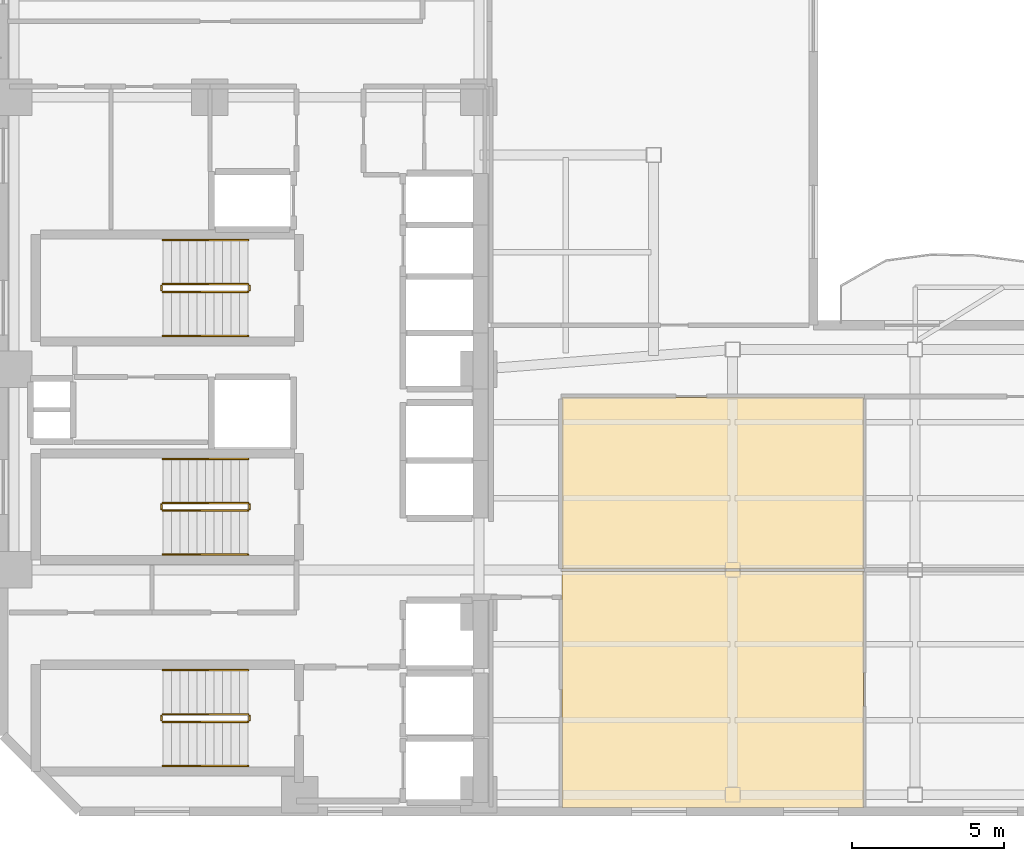
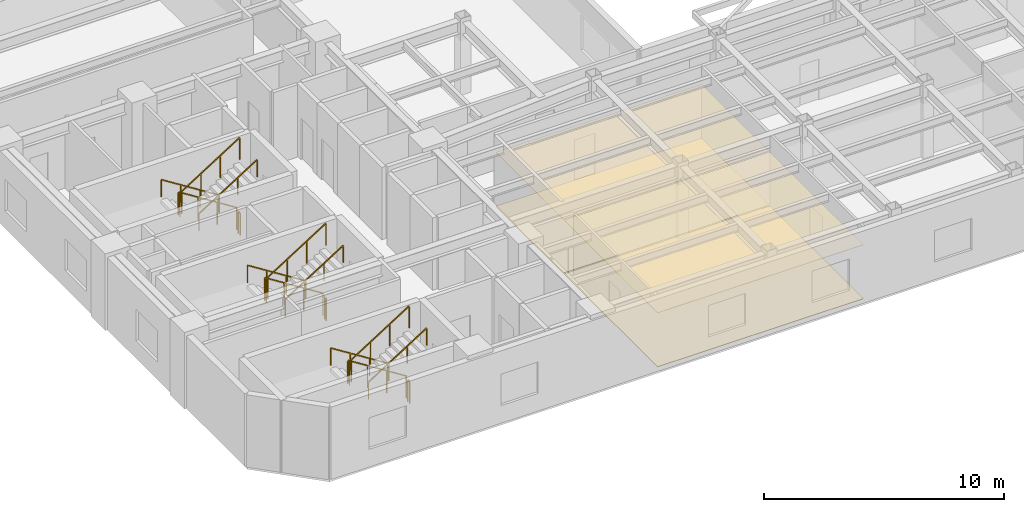
# One storey, part 7 of 9: 18 railings, 4 coverings.
"""IFC4 building model written with IfcOpenShell, lengths in metres."""

from ifc_helpers import new_model, si_unit, direction, frame, origin, origin_2d, place, context, subcontext, project, spatial, polyline, rectangle, outline, extrude, material, layer, layer_set, type_object, element, save


model = new_model("IFC4")

# Units and contexts
model_context = context("Model", 3, precision=1e-05, world=origin(), true_north=direction((0.0, 1.0)))
body_context = subcontext(model_context, "Body", "Model", "MODEL_VIEW")
ifc_project = project(units=[si_unit("LENGTHUNIT", "METRE"), si_unit("AREAUNIT", "SQUARE_METRE"), si_unit("VOLUMEUNIT", "CUBIC_METRE"), si_unit("PLANEANGLEUNIT", "RADIAN"), si_unit("MASSUNIT", "GRAM", prefix="KILO")], contexts=[model_context])

# Site, building, storey
site_placement = place(None, origin())
site = spatial("IfcSite", under=ifc_project, at=site_placement, CompositionType="ELEMENT")
building_placement = place(site_placement, origin())
building = spatial("IfcBuilding", under=site, at=building_placement, Name="Mawjaban Terraces University", CompositionType="ELEMENT")
storey_placement = place(building_placement, frame((0.0, 0.0, 111.199951171875)))
storey = spatial("IfcBuildingStorey", under=building, at=storey_placement, Name="L26", CompositionType="ELEMENT", Elevation=111.199951171875)

# Coverings
ifc_material_1 = material(Name="Acoustic mineral fibre ceiling tile", Category="masonry")
ifc_layer_1 = layer(ifc_material_1, 0.02001953125)
ifc_layer_set_1 = layer_set([ifc_layer_1], Name="Acoustic mineral fibre ceiling tile")
covering_type_1 = type_object("IfcCoveringType", Name="AcousticMineralCeiling_20", PredefinedType="CEILING", material=ifc_layer_set_1)
covering_1_placement = place(storey_placement, frame((0.0, 0.0, 2.75)))
element("IfcCovering", 1, at=covering_1_placement, inside=storey, type_object=covering_type_1, Name="L26 Seminar Room 2 Acoustic Ceiling", PredefinedType="CEILING", context=body_context, shape_type="SweptSolid", body=[
    extrude(outline(polyline([(40.3798828125, 0.114990234375), (50.302001953125, 0.114990234375), (50.302001953125, 7.919921875), (40.3798828125, 7.919921875), (40.3798828125, 0.114990234375)])), origin(), (0.0, 0.0, 1.0), 0.02001953125),
])
covering_2_placement = place(storey_placement, frame((0.0, 0.0, 2.75)))
element("IfcCovering", 2, at=covering_2_placement, inside=storey, type_object=covering_type_1, Name="L26 Classroom 3 Acoustic Ceiling", PredefinedType="CEILING", context=body_context, shape_type="SweptSolid", body=[
    extrude(outline(polyline([(50.302001953125, 7.97998046875), (50.302001953125, 13.6201171875), (40.3798828125, 13.6201171875), (40.3798828125, 7.97998046875), (50.302001953125, 7.97998046875)])), origin(), (0.0, 0.0, 1.0), 0.02001953125),
])

# Railings
ifc_material_2 = material(Name="Brushed stainless steel 316", Category="steel")
railing_type_1 = type_object("IfcRailingType", Name="StairWallHandrail_900", PredefinedType="HANDRAIL", material=ifc_material_2)
railing_1_placement = place(storey_placement, frame((30.050048828125, 4.64990234375, 0.17724609375)))
element("IfcRailing", 3, at=railing_1_placement, inside=storey, type_object=railing_type_1, Name="L26 ST-1 stair handrail 1", PredefinedType="HANDRAIL", context=body_context, shape_type="SweptSolid", body=[
    extrude(rectangle(XDim=0.048095703125, YDim=0.048095703125, at=origin_2d()), frame((0.0, 0.0, 0.8759765625), z_axis=(-0.844908973607, 0.0, 0.534910110503), x_axis=(0.0, -1.0, 0.0)), (0.0, 0.0, 1.0), 3.31396484375),
    extrude(rectangle(XDim=0.0419921875, YDim=0.0419921875, at=origin_2d()), origin(), (0.0, 0.0, 1.0), 0.851806640625),
    extrude(rectangle(XDim=0.0419921875, YDim=0.0419921875, at=origin_2d()), frame((-0.933349609375, 0.0, 0.5908203125)), (0.0, 0.0, 1.0), 0.851806640625),
    extrude(rectangle(XDim=0.0419921875, YDim=0.0419921875, at=origin_2d()), frame((-1.86669921875, 0.0, 1.181884765625)), (0.0, 0.0, 1.0), 0.851806640625),
    extrude(rectangle(XDim=0.0419921875, YDim=0.0419921875, at=origin_2d()), frame((-2.800048828125, 0.0, 1.772705078125)), (0.0, 0.0, 1.0), 0.851806640625),
])
railing_2_placement = place(storey_placement, frame((27.25, 1.5, 2.12744140625)))
element("IfcRailing", 4, at=railing_2_placement, inside=storey, type_object=railing_type_1, Name="L26 ST-1 stair handrail 2", PredefinedType="HANDRAIL", context=body_context, shape_type="SweptSolid", body=[
    extrude(rectangle(XDim=0.048095703125, YDim=0.048095703125, at=origin_2d()), frame((0.0, 0.0, 0.8759765625), z_axis=(0.844908973607, 0.0, 0.534910110503), x_axis=(0.0, 1.0, 0.0)), (0.0, 0.0, 1.0), 3.31396484375),
    extrude(rectangle(XDim=0.0419921875, YDim=0.0419921875, at=origin_2d()), origin(), (0.0, 0.0, 1.0), 0.851806640625),
    extrude(rectangle(XDim=0.0419921875, YDim=0.0419921875, at=origin_2d()), frame((0.933349609375, 0.0, 0.5908203125)), (0.0, 0.0, 1.0), 0.851806640625),
    extrude(rectangle(XDim=0.0419921875, YDim=0.0419921875, at=origin_2d()), frame((1.86669921875, 0.0, 1.181884765625)), (0.0, 0.0, 1.0), 0.851806640625),
    extrude(rectangle(XDim=0.0419921875, YDim=0.0419921875, at=origin_2d()), frame((2.800048828125, 0.0, 1.772705078125)), (0.0, 0.0, 1.0), 0.851806640625),
])
railing_3_placement = place(storey_placement, frame((30.050048828125, 18.800048828125, 0.17724609375)))
element("IfcRailing", 5, at=railing_3_placement, inside=storey, type_object=railing_type_1, Name="L26 ST-2 stair handrail 1", PredefinedType="HANDRAIL", context=body_context, shape_type="SweptSolid", body=[
    extrude(rectangle(XDim=0.048095703125, YDim=0.048095703125, at=origin_2d()), frame((0.0, 0.0, 0.8759765625), z_axis=(-0.844908973607, 0.0, 0.534910110503), x_axis=(0.0, -1.0, 0.0)), (0.0, 0.0, 1.0), 3.31396484375),
    extrude(rectangle(XDim=0.0419921875, YDim=0.0419921875, at=origin_2d()), origin(), (0.0, 0.0, 1.0), 0.851806640625),
    extrude(rectangle(XDim=0.0419921875, YDim=0.0419921875, at=origin_2d()), frame((-0.933349609375, 0.0, 0.5908203125)), (0.0, 0.0, 1.0), 0.851806640625),
    extrude(rectangle(XDim=0.0419921875, YDim=0.0419921875, at=origin_2d()), frame((-1.86669921875, 0.0, 1.181884765625)), (0.0, 0.0, 1.0), 0.851806640625),
    extrude(rectangle(XDim=0.0419921875, YDim=0.0419921875, at=origin_2d()), frame((-2.800048828125, 0.0, 1.772705078125)), (0.0, 0.0, 1.0), 0.851806640625),
])
railing_4_placement = place(storey_placement, frame((27.25, 15.64990234375, 2.12744140625)))
element("IfcRailing", 6, at=railing_4_placement, inside=storey, type_object=railing_type_1, Name="L26 ST-2 stair handrail 2", PredefinedType="HANDRAIL", context=body_context, shape_type="SweptSolid", body=[
    extrude(rectangle(XDim=0.048095703125, YDim=0.048095703125, at=origin_2d()), frame((0.0, 0.0, 0.8759765625), z_axis=(0.844908973607, 0.0, 0.534910110503), x_axis=(0.0, 1.0, 0.0)), (0.0, 0.0, 1.0), 3.31396484375),
    extrude(rectangle(XDim=0.0419921875, YDim=0.0419921875, at=origin_2d()), origin(), (0.0, 0.0, 1.0), 0.851806640625),
    extrude(rectangle(XDim=0.0419921875, YDim=0.0419921875, at=origin_2d()), frame((0.933349609375, 0.0, 0.5908203125)), (0.0, 0.0, 1.0), 0.851806640625),
    extrude(rectangle(XDim=0.0419921875, YDim=0.0419921875, at=origin_2d()), frame((1.86669921875, 0.0, 1.181884765625)), (0.0, 0.0, 1.0), 0.851806640625),
    extrude(rectangle(XDim=0.0419921875, YDim=0.0419921875, at=origin_2d()), frame((2.800048828125, 0.0, 1.772705078125)), (0.0, 0.0, 1.0), 0.851806640625),
])
railing_5_placement = place(storey_placement, frame((30.050048828125, 11.60009765625, 0.17724609375)))
element("IfcRailing", 7, at=railing_5_placement, inside=storey, type_object=railing_type_1, Name="L26 ST-3 stair handrail 1", PredefinedType="HANDRAIL", context=body_context, shape_type="SweptSolid", body=[
    extrude(rectangle(XDim=0.048095703125, YDim=0.048095703125, at=origin_2d()), frame((0.0, 0.0, 0.8759765625), z_axis=(-0.844908973607, 0.0, 0.534910110503), x_axis=(0.0, -1.0, 0.0)), (0.0, 0.0, 1.0), 3.31396484375),
    extrude(rectangle(XDim=0.0419921875, YDim=0.0419921875, at=origin_2d()), origin(), (0.0, 0.0, 1.0), 0.851806640625),
    extrude(rectangle(XDim=0.0419921875, YDim=0.0419921875, at=origin_2d()), frame((-0.933349609375, 0.0, 0.5908203125)), (0.0, 0.0, 1.0), 0.851806640625),
    extrude(rectangle(XDim=0.0419921875, YDim=0.0419921875, at=origin_2d()), frame((-1.86669921875, 0.0, 1.181884765625)), (0.0, 0.0, 1.0), 0.851806640625),
    extrude(rectangle(XDim=0.0419921875, YDim=0.0419921875, at=origin_2d()), frame((-2.800048828125, 0.0, 1.772705078125)), (0.0, 0.0, 1.0), 0.851806640625),
])
railing_6_placement = place(storey_placement, frame((27.25, 8.449951171875, 2.12744140625)))
element("IfcRailing", 8, at=railing_6_placement, inside=storey, type_object=railing_type_1, Name="L26 ST-3 stair handrail 2", PredefinedType="HANDRAIL", context=body_context, shape_type="SweptSolid", body=[
    extrude(rectangle(XDim=0.048095703125, YDim=0.048095703125, at=origin_2d()), frame((0.0, 0.0, 0.8759765625), z_axis=(0.844908973607, 0.0, 0.534910110503), x_axis=(0.0, 1.0, 0.0)), (0.0, 0.0, 1.0), 3.31396484375),
    extrude(rectangle(XDim=0.0419921875, YDim=0.0419921875, at=origin_2d()), origin(), (0.0, 0.0, 1.0), 0.851806640625),
    extrude(rectangle(XDim=0.0419921875, YDim=0.0419921875, at=origin_2d()), frame((0.933349609375, 0.0, 0.5908203125)), (0.0, 0.0, 1.0), 0.851806640625),
    extrude(rectangle(XDim=0.0419921875, YDim=0.0419921875, at=origin_2d()), frame((1.86669921875, 0.0, 1.181884765625)), (0.0, 0.0, 1.0), 0.851806640625),
    extrude(rectangle(XDim=0.0419921875, YDim=0.0419921875, at=origin_2d()), frame((2.800048828125, 0.0, 1.772705078125)), (0.0, 0.0, 1.0), 0.851806640625),
])
ifc_material_3 = material(Name="Galvanised painted steel S355", Category="steel")
railing_type_2 = type_object("IfcRailingType", Name="StairWellGuard_1150", PredefinedType="BALUSTRADE", material=ifc_material_3)
railing_7_placement = place(storey_placement, frame((30.050048828125, 3.199951171875, 0.17724609375)))
element("IfcRailing", 9, at=railing_7_placement, inside=storey, type_object=railing_type_2, Name="L26 ST-1 stair guard 1", PredefinedType="BALUSTRADE", context=body_context, shape_type="SweptSolid", body=[
    extrude(rectangle(XDim=0.048095703125, YDim=0.048095703125, at=origin_2d()), frame((0.0, 0.0, 1.1259765625), z_axis=(-0.844908973607, 0.0, 0.534910110503), x_axis=(0.0, -1.0, 0.0)), (0.0, 0.0, 1.0), 3.31396484375),
    extrude(rectangle(XDim=0.0419921875, YDim=0.0419921875, at=origin_2d()), origin(), (0.0, 0.0, 1.0), 1.101806640625),
    extrude(rectangle(XDim=0.0419921875, YDim=0.0419921875, at=origin_2d()), frame((-0.933349609375, 0.0, 0.5908203125)), (0.0, 0.0, 1.0), 1.101806640625),
    extrude(rectangle(XDim=0.0419921875, YDim=0.0419921875, at=origin_2d()), frame((-1.86669921875, 0.0, 1.181884765625)), (0.0, 0.0, 1.0), 1.101806640625),
    extrude(rectangle(XDim=0.0419921875, YDim=0.0419921875, at=origin_2d()), frame((-2.800048828125, 0.0, 1.772705078125)), (0.0, 0.0, 1.0), 1.101806640625),
])
railing_8_placement = place(storey_placement, frame((27.199951171875, 3.14990234375, 1.949951171875)))
element("IfcRailing", 10, at=railing_8_placement, inside=storey, type_object=railing_type_2, Name="L26 ST-1 stair guard 2", PredefinedType="BALUSTRADE", context=body_context, shape_type="SweptSolid", body=[
    extrude(rectangle(XDim=0.048095703125, YDim=0.048095703125, at=origin_2d()), frame((0.0, 0.0, 1.1259765625), z_axis=(0.0, -1.0, 0.0), x_axis=(1.0, 0.0, 0.0)), (0.0, 0.0, 1.0), 0.14990234375),
    extrude(rectangle(XDim=0.0419921875, YDim=0.0419921875, at=origin_2d()), origin(), (0.0, 0.0, 1.0), 1.101806640625),
    extrude(rectangle(XDim=0.0419921875, YDim=0.0419921875, at=origin_2d()), frame((0.0, -0.14990234375, 0.0)), (0.0, 0.0, 1.0), 1.101806640625),
])
railing_9_placement = place(storey_placement, frame((27.25, 2.949951171875, 2.12744140625)))
element("IfcRailing", 11, at=railing_9_placement, inside=storey, type_object=railing_type_2, Name="L26 ST-1 stair guard 3", PredefinedType="BALUSTRADE", context=body_context, shape_type="SweptSolid", body=[
    extrude(rectangle(XDim=0.048095703125, YDim=0.048095703125, at=origin_2d()), frame((0.0, 0.0, 1.1259765625), z_axis=(0.844908973607, 0.0, 0.534910110503), x_axis=(0.0, 1.0, 0.0)), (0.0, 0.0, 1.0), 3.31396484375),
    extrude(rectangle(XDim=0.0419921875, YDim=0.0419921875, at=origin_2d()), origin(), (0.0, 0.0, 1.0), 1.101806640625),
    extrude(rectangle(XDim=0.0419921875, YDim=0.0419921875, at=origin_2d()), frame((0.933349609375, 0.0, 0.5908203125)), (0.0, 0.0, 1.0), 1.101806640625),
    extrude(rectangle(XDim=0.0419921875, YDim=0.0419921875, at=origin_2d()), frame((1.86669921875, 0.0, 1.181884765625)), (0.0, 0.0, 1.0), 1.101806640625),
    extrude(rectangle(XDim=0.0419921875, YDim=0.0419921875, at=origin_2d()), frame((2.800048828125, 0.0, 1.772705078125)), (0.0, 0.0, 1.0), 1.101806640625),
])
railing_10_placement = place(storey_placement, frame((30.10009765625, 3.14990234375, 0.0)))
element("IfcRailing", 12, at=railing_10_placement, inside=storey, type_object=railing_type_2, Name="L26 ST-1 stair guard 4", PredefinedType="BALUSTRADE", context=body_context, shape_type="SweptSolid", body=[
    extrude(rectangle(XDim=0.048095703125, YDim=0.048095703125, at=origin_2d()), frame((0.0, 0.0, 1.1259765625), z_axis=(0.0, -1.0, 0.0), x_axis=(1.0, 0.0, 0.0)), (0.0, 0.0, 1.0), 0.14990234375),
    extrude(rectangle(XDim=0.0419921875, YDim=0.0419921875, at=origin_2d()), origin(), (0.0, 0.0, 1.0), 1.101806640625),
    extrude(rectangle(XDim=0.0419921875, YDim=0.0419921875, at=origin_2d()), frame((0.0, -0.14990234375, 0.0)), (0.0, 0.0, 1.0), 1.101806640625),
])
railing_11_placement = place(storey_placement, frame((30.050048828125, 17.35009765625, 0.17724609375)))
element("IfcRailing", 13, at=railing_11_placement, inside=storey, type_object=railing_type_2, Name="L26 ST-2 stair guard 1", PredefinedType="BALUSTRADE", context=body_context, shape_type="SweptSolid", body=[
    extrude(rectangle(XDim=0.048095703125, YDim=0.048095703125, at=origin_2d()), frame((0.0, 0.0, 1.1259765625), z_axis=(-0.844908973607, 0.0, 0.534910110503), x_axis=(0.0, -1.0, 0.0)), (0.0, 0.0, 1.0), 3.31396484375),
    extrude(rectangle(XDim=0.0419921875, YDim=0.0419921875, at=origin_2d()), origin(), (0.0, 0.0, 1.0), 1.101806640625),
    extrude(rectangle(XDim=0.0419921875, YDim=0.0419921875, at=origin_2d()), frame((-0.933349609375, 0.0, 0.5908203125)), (0.0, 0.0, 1.0), 1.101806640625),
    extrude(rectangle(XDim=0.0419921875, YDim=0.0419921875, at=origin_2d()), frame((-1.86669921875, 0.0, 1.181884765625)), (0.0, 0.0, 1.0), 1.101806640625),
    extrude(rectangle(XDim=0.0419921875, YDim=0.0419921875, at=origin_2d()), frame((-2.800048828125, 0.0, 1.772705078125)), (0.0, 0.0, 1.0), 1.101806640625),
])
railing_12_placement = place(storey_placement, frame((27.199951171875, 17.300048828125, 1.949951171875)))
element("IfcRailing", 14, at=railing_12_placement, inside=storey, type_object=railing_type_2, Name="L26 ST-2 stair guard 2", PredefinedType="BALUSTRADE", context=body_context, shape_type="SweptSolid", body=[
    extrude(rectangle(XDim=0.048095703125, YDim=0.048095703125, at=origin_2d()), frame((0.0, 0.0, 1.1259765625), z_axis=(0.0, -1.0, 0.0), x_axis=(1.0, 0.0, 0.0)), (0.0, 0.0, 1.0), 0.150146484375),
    extrude(rectangle(XDim=0.0419921875, YDim=0.0419921875, at=origin_2d()), origin(), (0.0, 0.0, 1.0), 1.101806640625),
    extrude(rectangle(XDim=0.0419921875, YDim=0.0419921875, at=origin_2d()), frame((0.0, -0.150146484375, 0.0)), (0.0, 0.0, 1.0), 1.101806640625),
])
railing_13_placement = place(storey_placement, frame((27.25, 17.10009765625, 2.12744140625)))
element("IfcRailing", 15, at=railing_13_placement, inside=storey, type_object=railing_type_2, Name="L26 ST-2 stair guard 3", PredefinedType="BALUSTRADE", context=body_context, shape_type="SweptSolid", body=[
    extrude(rectangle(XDim=0.048095703125, YDim=0.048095703125, at=origin_2d()), frame((0.0, 0.0, 1.1259765625), z_axis=(0.844908973607, 0.0, 0.534910110503), x_axis=(0.0, 1.0, 0.0)), (0.0, 0.0, 1.0), 3.31396484375),
    extrude(rectangle(XDim=0.0419921875, YDim=0.0419921875, at=origin_2d()), origin(), (0.0, 0.0, 1.0), 1.101806640625),
    extrude(rectangle(XDim=0.0419921875, YDim=0.0419921875, at=origin_2d()), frame((0.933349609375, 0.0, 0.5908203125)), (0.0, 0.0, 1.0), 1.101806640625),
    extrude(rectangle(XDim=0.0419921875, YDim=0.0419921875, at=origin_2d()), frame((1.86669921875, 0.0, 1.181884765625)), (0.0, 0.0, 1.0), 1.101806640625),
    extrude(rectangle(XDim=0.0419921875, YDim=0.0419921875, at=origin_2d()), frame((2.800048828125, 0.0, 1.772705078125)), (0.0, 0.0, 1.0), 1.101806640625),
])
railing_14_placement = place(storey_placement, frame((30.10009765625, 17.300048828125, 0.0)))
element("IfcRailing", 16, at=railing_14_placement, inside=storey, type_object=railing_type_2, Name="L26 ST-2 stair guard 4", PredefinedType="BALUSTRADE", context=body_context, shape_type="SweptSolid", body=[
    extrude(rectangle(XDim=0.048095703125, YDim=0.048095703125, at=origin_2d()), frame((0.0, 0.0, 1.1259765625), z_axis=(0.0, -1.0, 0.0), x_axis=(1.0, 0.0, 0.0)), (0.0, 0.0, 1.0), 0.150146484375),
    extrude(rectangle(XDim=0.0419921875, YDim=0.0419921875, at=origin_2d()), origin(), (0.0, 0.0, 1.0), 1.101806640625),
    extrude(rectangle(XDim=0.0419921875, YDim=0.0419921875, at=origin_2d()), frame((0.0, -0.150146484375, 0.0)), (0.0, 0.0, 1.0), 1.101806640625),
])
railing_15_placement = place(storey_placement, frame((30.050048828125, 10.14990234375, 0.17724609375)))
element("IfcRailing", 17, at=railing_15_placement, inside=storey, type_object=railing_type_2, Name="L26 ST-3 stair guard 1", PredefinedType="BALUSTRADE", context=body_context, shape_type="SweptSolid", body=[
    extrude(rectangle(XDim=0.048095703125, YDim=0.048095703125, at=origin_2d()), frame((0.0, 0.0, 1.1259765625), z_axis=(-0.844908973607, 0.0, 0.534910110503), x_axis=(0.0, -1.0, 0.0)), (0.0, 0.0, 1.0), 3.31396484375),
    extrude(rectangle(XDim=0.0419921875, YDim=0.0419921875, at=origin_2d()), origin(), (0.0, 0.0, 1.0), 1.101806640625),
    extrude(rectangle(XDim=0.0419921875, YDim=0.0419921875, at=origin_2d()), frame((-0.933349609375, 0.0, 0.5908203125)), (0.0, 0.0, 1.0), 1.101806640625),
    extrude(rectangle(XDim=0.0419921875, YDim=0.0419921875, at=origin_2d()), frame((-1.86669921875, 0.0, 1.181884765625)), (0.0, 0.0, 1.0), 1.101806640625),
    extrude(rectangle(XDim=0.0419921875, YDim=0.0419921875, at=origin_2d()), frame((-2.800048828125, 0.0, 1.772705078125)), (0.0, 0.0, 1.0), 1.101806640625),
])
railing_16_placement = place(storey_placement, frame((27.199951171875, 10.10009765625, 1.949951171875)))
element("IfcRailing", 18, at=railing_16_placement, inside=storey, type_object=railing_type_2, Name="L26 ST-3 stair guard 2", PredefinedType="BALUSTRADE", context=body_context, shape_type="SweptSolid", body=[
    extrude(rectangle(XDim=0.048095703125, YDim=0.048095703125, at=origin_2d()), frame((0.0, 0.0, 1.1259765625), z_axis=(0.0, -1.0, 0.0), x_axis=(1.0, 0.0, 0.0)), (0.0, 0.0, 1.0), 0.150146484375),
    extrude(rectangle(XDim=0.0419921875, YDim=0.0419921875, at=origin_2d()), origin(), (0.0, 0.0, 1.0), 1.101806640625),
    extrude(rectangle(XDim=0.0419921875, YDim=0.0419921875, at=origin_2d()), frame((0.0, -0.150146484375, 0.0)), (0.0, 0.0, 1.0), 1.101806640625),
])
railing_17_placement = place(storey_placement, frame((27.25, 9.89990234375, 2.12744140625)))
element("IfcRailing", 19, at=railing_17_placement, inside=storey, type_object=railing_type_2, Name="L26 ST-3 stair guard 3", PredefinedType="BALUSTRADE", context=body_context, shape_type="SweptSolid", body=[
    extrude(rectangle(XDim=0.048095703125, YDim=0.048095703125, at=origin_2d()), frame((0.0, 0.0, 1.1259765625), z_axis=(0.844908973607, 0.0, 0.534910110503), x_axis=(0.0, 1.0, 0.0)), (0.0, 0.0, 1.0), 3.31396484375),
    extrude(rectangle(XDim=0.0419921875, YDim=0.0419921875, at=origin_2d()), origin(), (0.0, 0.0, 1.0), 1.101806640625),
    extrude(rectangle(XDim=0.0419921875, YDim=0.0419921875, at=origin_2d()), frame((0.933349609375, 0.0, 0.5908203125)), (0.0, 0.0, 1.0), 1.101806640625),
    extrude(rectangle(XDim=0.0419921875, YDim=0.0419921875, at=origin_2d()), frame((1.86669921875, 0.0, 1.181884765625)), (0.0, 0.0, 1.0), 1.101806640625),
    extrude(rectangle(XDim=0.0419921875, YDim=0.0419921875, at=origin_2d()), frame((2.800048828125, 0.0, 1.772705078125)), (0.0, 0.0, 1.0), 1.101806640625),
])
railing_18_placement = place(storey_placement, frame((30.10009765625, 10.10009765625, 0.0)))
element("IfcRailing", 20, at=railing_18_placement, inside=storey, type_object=railing_type_2, Name="L26 ST-3 stair guard 4", PredefinedType="BALUSTRADE", context=body_context, shape_type="SweptSolid", body=[
    extrude(rectangle(XDim=0.048095703125, YDim=0.048095703125, at=origin_2d()), frame((0.0, 0.0, 1.1259765625), z_axis=(0.0, -1.0, 0.0), x_axis=(1.0, 0.0, 0.0)), (0.0, 0.0, 1.0), 0.150146484375),
    extrude(rectangle(XDim=0.0419921875, YDim=0.0419921875, at=origin_2d()), origin(), (0.0, 0.0, 1.0), 1.101806640625),
    extrude(rectangle(XDim=0.0419921875, YDim=0.0419921875, at=origin_2d()), frame((0.0, -0.150146484375, 0.0)), (0.0, 0.0, 1.0), 1.101806640625),
])

# Coverings
ifc_material_4 = material(Name="Polished Hijazi granite terrazzo flooring", Category="masonry")
ifc_layer_2 = layer(ifc_material_4, 0.02490234375)
ifc_layer_set_2 = layer_set([ifc_layer_2], Name="Polished Hijazi granite terrazzo flooring")
covering_type_2 = type_object("IfcCoveringType", Name="TerrazzoConcourseFlooring_25", PredefinedType="FLOORING", material=ifc_layer_set_2)
covering_3_placement = place(storey_placement, origin())
element("IfcCovering", 21, at=covering_3_placement, inside=storey, type_object=covering_type_2, Name="L26 Seminar Room 2 Terrazzo Flooring", PredefinedType="FLOORING", context=body_context, shape_type="SweptSolid", body=[
    extrude(outline(polyline([(40.3798828125, 0.114990234375), (50.302001953125, 0.114990234375), (50.302001953125, 7.919921875), (40.3798828125, 7.919921875), (40.3798828125, 0.114990234375)])), origin(), (0.0, 0.0, 1.0), 0.025146484375),
])
covering_4_placement = place(storey_placement, origin())
element("IfcCovering", 22, at=covering_4_placement, inside=storey, type_object=covering_type_2, Name="L26 Classroom 3 Terrazzo Flooring", PredefinedType="FLOORING", context=body_context, shape_type="SweptSolid", body=[
    extrude(outline(polyline([(50.302001953125, 7.97998046875), (50.302001953125, 13.6201171875), (40.3798828125, 13.6201171875), (40.3798828125, 7.97998046875), (50.302001953125, 7.97998046875)])), origin(), (0.0, 0.0, 1.0), 0.025146484375),
])

save(model, "model.ifc")
